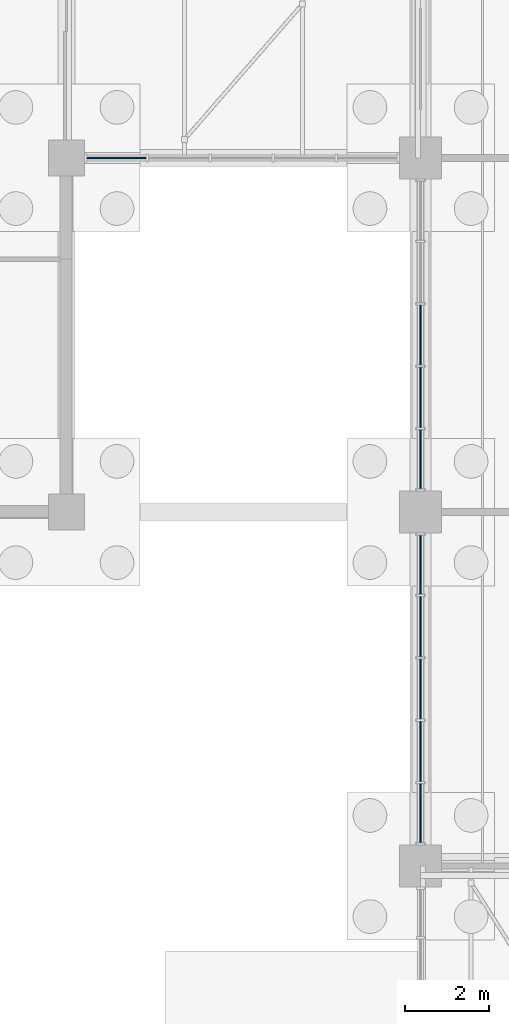
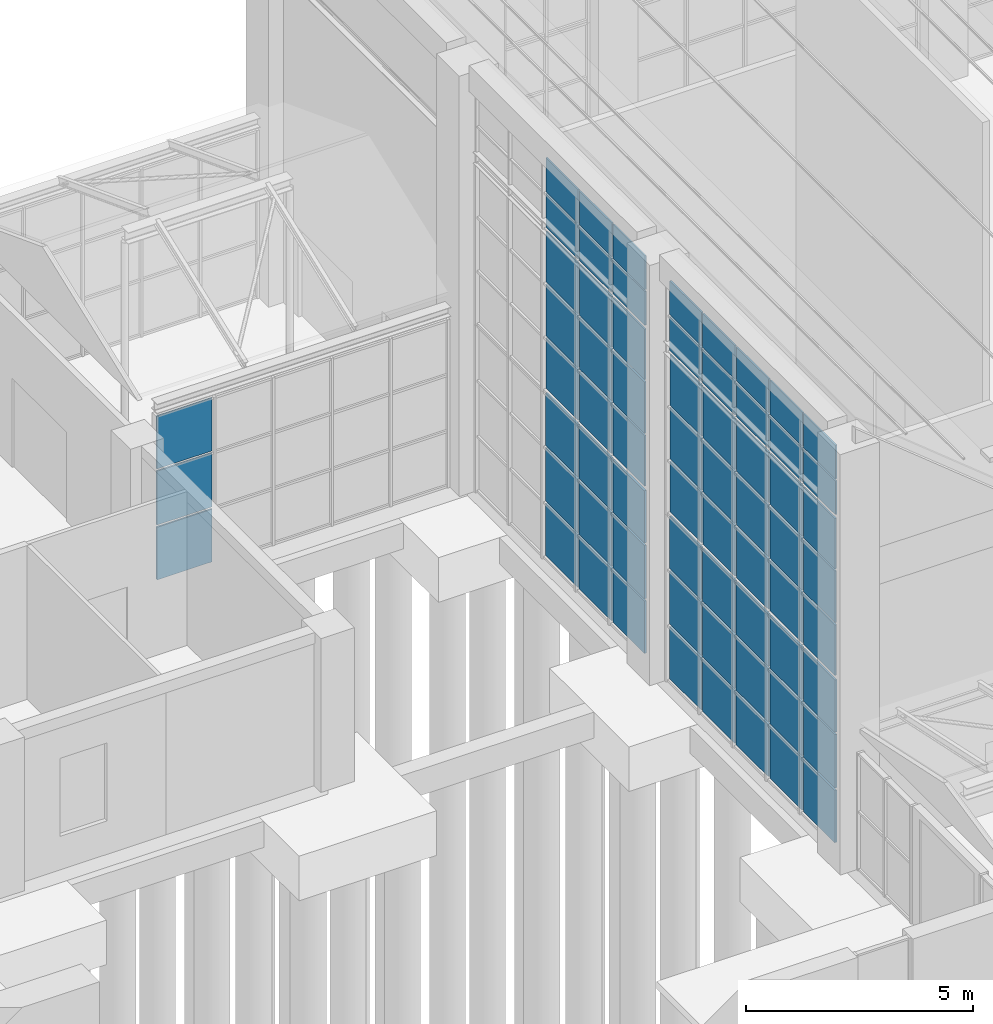
# One storey, part 82 of 138: 67 plates, 7 elements without a shape of their own.
"""IFC4 building model written with IfcOpenShell, lengths in metres."""

from ifc_helpers import new_model, si_unit, direction, frame, origin, origin_2d, place, context, subcontext, project, spatial, rectangle, extrude, material, layer, layer_set, type_object, element, aggregate, save


model = new_model("IFC4")

# Units and contexts
model_context = context("Model", 3, precision=1e-05, world=origin(), true_north=direction((0.0, 1.0)))
body_context = subcontext(model_context, "Body", "Model", "MODEL_VIEW")
ifc_project = project(units=[si_unit("LENGTHUNIT", "METRE"), si_unit("AREAUNIT", "SQUARE_METRE"), si_unit("VOLUMEUNIT", "CUBIC_METRE"), si_unit("PLANEANGLEUNIT", "RADIAN"), si_unit("MASSUNIT", "GRAM", prefix="KILO")], contexts=[model_context])

# Site, building, storey
site_placement = place(None, origin())
site = spatial("IfcSite", under=ifc_project, at=site_placement, CompositionType="ELEMENT")
building_placement = place(site_placement, origin())
building = spatial("IfcBuilding", under=site, at=building_placement, Name="Yavir Park General Hospital", CompositionType="ELEMENT")
storey_placement = place(building_placement, origin())
storey = spatial("IfcBuildingStorey", under=building, at=storey_placement, Name="L00", CompositionType="ELEMENT", Elevation=0.0)

# Curtain wall, plates
ifc_material_1 = material(Name="Aluminium curtain wall frame with insulated glazing", Category="aluminium")
curtain_wall_type_1 = type_object("IfcCurtainWallType", Name="Glazed link walls, 4525 high, 1400 module", PredefinedType="NOTDEFINED", material=ifc_material_1)
curtain_wall_1_placement = place(storey_placement, origin())
curtain_wall_1 = element("IfcCurtainWall", 1, at=curtain_wall_1_placement, inside=storey, type_object=curtain_wall_type_1, Name="CW38 L00-017", PredefinedType="NOTDEFINED")
ifc_material_2 = material(Name="Solar-control insulated glazed unit 40 mm")
ifc_layer_1 = layer(ifc_material_2, 0.0400390625)
ifc_layer_set_1 = layer_set([ifc_layer_1], Name="Solar-control insulated glazed unit 40 mm")
plate_type_1 = type_object("IfcPlateType", Name="Glazed link walls, 4525 high panel 40", PredefinedType="CURTAIN_PANEL", material=ifc_layer_set_1)
plate_1_placement = place(storey_placement, frame((68.387451171875, 58.800048828125, 0.06005859375), z_axis=(0.0, 0.0, 1.0), x_axis=(1.0, 0.0, 0.0)))
plate_1 = element("IfcPlate", 2, at=plate_1_placement, type_object=plate_type_1, Name="CW38 panel 1.1", PredefinedType="CURTAIN_PANEL", context=body_context, shape_type="SweptSolid", body=[
    extrude(rectangle(XDim=1.405029296875, YDim=0.0400390625, at=origin_2d()), origin(), (0.0, 0.0, 1.0), 1.418212890625),
])
plate_2_placement = place(storey_placement, frame((68.387451171875, 58.800048828125, 1.538330078125), z_axis=(0.0, 0.0, 1.0), x_axis=(1.0, 0.0, 0.0)))
plate_2 = element("IfcPlate", 3, at=plate_2_placement, type_object=plate_type_1, Name="CW38 panel 1.2", PredefinedType="CURTAIN_PANEL", context=body_context, shape_type="SweptSolid", body=[
    extrude(rectangle(XDim=1.405029296875, YDim=0.0400390625, at=origin_2d()), origin(), (0.0, 0.0, 1.0), 1.4482421875),
])
plate_3_placement = place(storey_placement, frame((68.387451171875, 58.800048828125, 3.046875), z_axis=(0.0, 0.0, 1.0), x_axis=(1.0, 0.0, 0.0)))
plate_3 = element("IfcPlate", 4, at=plate_3_placement, type_object=plate_type_1, Name="CW38 panel 1.3", PredefinedType="CURTAIN_PANEL", context=body_context, shape_type="SweptSolid", body=[
    extrude(rectangle(XDim=1.405029296875, YDim=0.0400390625, at=origin_2d()), origin(), (0.0, 0.0, 1.0), 1.418212890625),
])
aggregate(curtain_wall_1, [plate_1, plate_2, plate_3])

ifc_material_3 = material(Name="Aluminium curtain wall frame with insulated glazing", Category="aluminium")
curtain_wall_type_2 = type_object("IfcCurtainWallType", Name="Main hall glazing, clerestory band, 1970 high, 1400 module", PredefinedType="NOTDEFINED", material=ifc_material_3)
curtain_wall_2_placement = place(storey_placement, origin())
curtain_wall_2 = element("IfcCurtainWall", 5, at=curtain_wall_2_placement, inside=storey, type_object=curtain_wall_type_2, Name="CW35 L00-052", PredefinedType="NOTDEFINED")
ifc_material_4 = material(Name="Insulated glazed unit 30 mm, low-e coating")
ifc_layer_2 = layer(ifc_material_4, 0.0400390625)
ifc_layer_set_2 = layer_set([ifc_layer_2], Name="Insulated glazed unit 30 mm, low-e coating")
plate_type_2 = type_object("IfcPlateType", Name="Main hall glazing, clerestory band, 1970 high panel 40", PredefinedType="CURTAIN_PANEL", material=ifc_layer_set_2)
plate_4_placement = place(storey_placement, frame((75.60009765625, 43.25244140625, 8.89501953125), z_axis=(0.0, 0.0, 1.0), x_axis=(0.0, 1.0, 0.0)))
plate_4 = element("IfcPlate", 6, at=plate_4_placement, type_object=plate_type_2, Name="CW35 panel 1.1", PredefinedType="CURTAIN_PANEL", context=body_context, shape_type="SweptSolid", body=[
    extrude(rectangle(XDim=1.405029296875, YDim=0.0400390625, at=origin_2d()), origin(), (0.0, 0.0, 1.0), 0.909912109375),
])
plate_5_placement = place(storey_placement, frame((75.60009765625, 43.25244140625, 9.85498046875), z_axis=(0.0, 0.0, 1.0), x_axis=(0.0, 1.0, 0.0)))
plate_5 = element("IfcPlate", 7, at=plate_5_placement, type_object=plate_type_2, Name="CW35 panel 1.2", PredefinedType="CURTAIN_PANEL", context=body_context, shape_type="SweptSolid", body=[
    extrude(rectangle(XDim=1.405029296875, YDim=0.0400390625, at=origin_2d()), origin(), (0.0, 0.0, 1.0), 0.909912109375),
])
plate_6_placement = place(storey_placement, frame((75.60009765625, 44.719970703125, 8.89501953125), z_axis=(0.0, 0.0, 1.0), x_axis=(0.0, 1.0, 0.0)))
plate_6 = element("IfcPlate", 8, at=plate_6_placement, type_object=plate_type_2, Name="CW35 panel 2.1", PredefinedType="CURTAIN_PANEL", context=body_context, shape_type="SweptSolid", body=[
    extrude(rectangle(XDim=1.429931640625, YDim=0.0400390625, at=origin_2d()), origin(), (0.0, 0.0, 1.0), 0.909912109375),
])
plate_7_placement = place(storey_placement, frame((75.60009765625, 44.719970703125, 9.85498046875), z_axis=(0.0, 0.0, 1.0), x_axis=(0.0, 1.0, 0.0)))
plate_7 = element("IfcPlate", 9, at=plate_7_placement, type_object=plate_type_2, Name="CW35 panel 2.2", PredefinedType="CURTAIN_PANEL", context=body_context, shape_type="SweptSolid", body=[
    extrude(rectangle(XDim=1.429931640625, YDim=0.0400390625, at=origin_2d()), origin(), (0.0, 0.0, 1.0), 0.909912109375),
])
plate_8_placement = place(storey_placement, frame((75.60009765625, 46.199951171875, 8.89501953125), z_axis=(0.0, 0.0, 1.0), x_axis=(0.0, 1.0, 0.0)))
plate_8 = element("IfcPlate", 10, at=plate_8_placement, type_object=plate_type_2, Name="CW35 panel 3.1", PredefinedType="CURTAIN_PANEL", context=body_context, shape_type="SweptSolid", body=[
    extrude(rectangle(XDim=1.429931640625, YDim=0.0400390625, at=origin_2d()), origin(), (0.0, 0.0, 1.0), 0.909912109375),
])
plate_9_placement = place(storey_placement, frame((75.60009765625, 46.199951171875, 9.85498046875), z_axis=(0.0, 0.0, 1.0), x_axis=(0.0, 1.0, 0.0)))
plate_9 = element("IfcPlate", 11, at=plate_9_placement, type_object=plate_type_2, Name="CW35 panel 3.2", PredefinedType="CURTAIN_PANEL", context=body_context, shape_type="SweptSolid", body=[
    extrude(rectangle(XDim=1.429931640625, YDim=0.0400390625, at=origin_2d()), origin(), (0.0, 0.0, 1.0), 0.909912109375),
])
plate_10_placement = place(storey_placement, frame((75.60009765625, 47.679931640625, 8.89501953125), z_axis=(0.0, 0.0, 1.0), x_axis=(0.0, 1.0, 0.0)))
plate_10 = element("IfcPlate", 12, at=plate_10_placement, type_object=plate_type_2, Name="CW35 panel 4.1", PredefinedType="CURTAIN_PANEL", context=body_context, shape_type="SweptSolid", body=[
    extrude(rectangle(XDim=1.429931640625, YDim=0.0400390625, at=origin_2d()), origin(), (0.0, 0.0, 1.0), 0.909912109375),
])
plate_11_placement = place(storey_placement, frame((75.60009765625, 47.679931640625, 9.85498046875), z_axis=(0.0, 0.0, 1.0), x_axis=(0.0, 1.0, 0.0)))
plate_11 = element("IfcPlate", 13, at=plate_11_placement, type_object=plate_type_2, Name="CW35 panel 4.2", PredefinedType="CURTAIN_PANEL", context=body_context, shape_type="SweptSolid", body=[
    extrude(rectangle(XDim=1.429931640625, YDim=0.0400390625, at=origin_2d()), origin(), (0.0, 0.0, 1.0), 0.909912109375),
])
plate_12_placement = place(storey_placement, frame((75.60009765625, 49.1474609375, 8.89501953125), z_axis=(0.0, 0.0, 1.0), x_axis=(0.0, 1.0, 0.0)))
plate_12 = element("IfcPlate", 14, at=plate_12_placement, type_object=plate_type_2, Name="CW35 panel 5.1", PredefinedType="CURTAIN_PANEL", context=body_context, shape_type="SweptSolid", body=[
    extrude(rectangle(XDim=1.405029296875, YDim=0.0400390625, at=origin_2d()), origin(), (0.0, 0.0, 1.0), 0.909912109375),
])
plate_13_placement = place(storey_placement, frame((75.60009765625, 49.1474609375, 9.85498046875), z_axis=(0.0, 0.0, 1.0), x_axis=(0.0, 1.0, 0.0)))
plate_13 = element("IfcPlate", 15, at=plate_13_placement, type_object=plate_type_2, Name="CW35 panel 5.2", PredefinedType="CURTAIN_PANEL", context=body_context, shape_type="SweptSolid", body=[
    extrude(rectangle(XDim=1.405029296875, YDim=0.0400390625, at=origin_2d()), origin(), (0.0, 0.0, 1.0), 0.909912109375),
])
aggregate(curtain_wall_2, [plate_4, plate_5, plate_6, plate_7, plate_8, plate_9, plate_10, plate_11, plate_12, plate_13])

curtain_wall_3_placement = place(storey_placement, origin())
curtain_wall_3 = element("IfcCurtainWall", 16, at=curtain_wall_3_placement, inside=storey, type_object=curtain_wall_type_2, Name="CW35 L00-055", PredefinedType="NOTDEFINED")
plate_14_placement = place(storey_placement, frame((75.60009765625, 51.652587890625, 8.89501953125), z_axis=(0.0, 0.0, 1.0), x_axis=(0.0, 1.0, 0.0)))
plate_14 = element("IfcPlate", 17, at=plate_14_placement, type_object=plate_type_2, Name="CW35 panel 1.1", PredefinedType="CURTAIN_PANEL", context=body_context, shape_type="SweptSolid", body=[
    extrude(rectangle(XDim=1.405029296875, YDim=0.0400390625, at=origin_2d()), origin(), (0.0, 0.0, 1.0), 0.909912109375),
])
plate_15_placement = place(storey_placement, frame((75.60009765625, 51.652587890625, 9.85498046875), z_axis=(0.0, 0.0, 1.0), x_axis=(0.0, 1.0, 0.0)))
plate_15 = element("IfcPlate", 18, at=plate_15_placement, type_object=plate_type_2, Name="CW35 panel 1.2", PredefinedType="CURTAIN_PANEL", context=body_context, shape_type="SweptSolid", body=[
    extrude(rectangle(XDim=1.405029296875, YDim=0.0400390625, at=origin_2d()), origin(), (0.0, 0.0, 1.0), 0.909912109375),
])
plate_16_placement = place(storey_placement, frame((75.60009765625, 53.1201171875, 8.89501953125), z_axis=(0.0, 0.0, 1.0), x_axis=(0.0, 1.0, 0.0)))
plate_16 = element("IfcPlate", 19, at=plate_16_placement, type_object=plate_type_2, Name="CW35 panel 2.1", PredefinedType="CURTAIN_PANEL", context=body_context, shape_type="SweptSolid", body=[
    extrude(rectangle(XDim=1.429931640625, YDim=0.0400390625, at=origin_2d()), origin(), (0.0, 0.0, 1.0), 0.909912109375),
])
plate_17_placement = place(storey_placement, frame((75.60009765625, 53.1201171875, 9.85498046875), z_axis=(0.0, 0.0, 1.0), x_axis=(0.0, 1.0, 0.0)))
plate_17 = element("IfcPlate", 20, at=plate_17_placement, type_object=plate_type_2, Name="CW35 panel 2.2", PredefinedType="CURTAIN_PANEL", context=body_context, shape_type="SweptSolid", body=[
    extrude(rectangle(XDim=1.429931640625, YDim=0.0400390625, at=origin_2d()), origin(), (0.0, 0.0, 1.0), 0.909912109375),
])
plate_18_placement = place(storey_placement, frame((75.60009765625, 54.60009765625, 8.89501953125), z_axis=(0.0, 0.0, 1.0), x_axis=(0.0, 1.0, 0.0)))
plate_18 = element("IfcPlate", 21, at=plate_18_placement, type_object=plate_type_2, Name="CW35 panel 3.1", PredefinedType="CURTAIN_PANEL", context=body_context, shape_type="SweptSolid", body=[
    extrude(rectangle(XDim=1.429931640625, YDim=0.0400390625, at=origin_2d()), origin(), (0.0, 0.0, 1.0), 0.909912109375),
])
plate_19_placement = place(storey_placement, frame((75.60009765625, 54.60009765625, 9.85498046875), z_axis=(0.0, 0.0, 1.0), x_axis=(0.0, 1.0, 0.0)))
plate_19 = element("IfcPlate", 22, at=plate_19_placement, type_object=plate_type_2, Name="CW35 panel 3.2", PredefinedType="CURTAIN_PANEL", context=body_context, shape_type="SweptSolid", body=[
    extrude(rectangle(XDim=1.429931640625, YDim=0.0400390625, at=origin_2d()), origin(), (0.0, 0.0, 1.0), 0.909912109375),
])
aggregate(curtain_wall_3, [plate_14, plate_15, plate_16, plate_17, plate_18, plate_19])

ifc_material_5 = material(Name="Aluminium curtain wall frame with insulated glazing", Category="aluminium")
curtain_wall_type_3 = type_object("IfcCurtainWallType", Name="Main hall glazing, lower band, 4500 high, 1400 module", PredefinedType="NOTDEFINED", material=ifc_material_5)
curtain_wall_4_placement = place(storey_placement, origin())
curtain_wall_4 = element("IfcCurtainWall", 23, at=curtain_wall_4_placement, inside=storey, type_object=curtain_wall_type_3, Name="CW33 L00-050", PredefinedType="NOTDEFINED")
ifc_material_6 = material(Name="Solar-control insulated glazed unit 40 mm")
ifc_layer_3 = layer(ifc_material_6, 0.050048828125)
ifc_layer_set_3 = layer_set([ifc_layer_3], Name="Solar-control insulated glazed unit 40 mm")
plate_type_3 = type_object("IfcPlateType", Name="Main hall glazing, lower band, 4500 high panel 50", PredefinedType="CURTAIN_PANEL", material=ifc_layer_set_3)
plate_20_placement = place(storey_placement, frame((75.60009765625, 43.2548828125, 0.06005859375), z_axis=(0.0, 0.0, 1.0), x_axis=(0.0, 1.0, 0.0)))
plate_20 = element("IfcPlate", 24, at=plate_20_placement, type_object=plate_type_3, Name="CW33 panel 1.1", PredefinedType="CURTAIN_PANEL", context=body_context, shape_type="SweptSolid", body=[
    extrude(rectangle(XDim=1.389892578125, YDim=0.050048828125, at=origin_2d()), origin(), (0.0, 0.0, 1.0), 1.409912109375),
])
plate_21_placement = place(storey_placement, frame((75.60009765625, 43.2548828125, 1.530029296875), z_axis=(0.0, 0.0, 1.0), x_axis=(0.0, 1.0, 0.0)))
plate_21 = element("IfcPlate", 25, at=plate_21_placement, type_object=plate_type_3, Name="CW33 panel 1.2", PredefinedType="CURTAIN_PANEL", context=body_context, shape_type="SweptSolid", body=[
    extrude(rectangle(XDim=1.389892578125, YDim=0.050048828125, at=origin_2d()), origin(), (0.0, 0.0, 1.0), 1.43994140625),
])
plate_22_placement = place(storey_placement, frame((75.60009765625, 43.2548828125, 3.0302734375), z_axis=(0.0, 0.0, 1.0), x_axis=(0.0, 1.0, 0.0)))
plate_22 = element("IfcPlate", 26, at=plate_22_placement, type_object=plate_type_3, Name="CW33 panel 1.3", PredefinedType="CURTAIN_PANEL", context=body_context, shape_type="SweptSolid", body=[
    extrude(rectangle(XDim=1.389892578125, YDim=0.050048828125, at=origin_2d()), origin(), (0.0, 0.0, 1.0), 1.409912109375),
])
plate_23_placement = place(storey_placement, frame((75.60009765625, 44.719970703125, 0.06005859375), z_axis=(0.0, 0.0, 1.0), x_axis=(0.0, 1.0, 0.0)))
plate_23 = element("IfcPlate", 27, at=plate_23_placement, type_object=plate_type_3, Name="CW33 panel 2.1", PredefinedType="CURTAIN_PANEL", context=body_context, shape_type="SweptSolid", body=[
    extrude(rectangle(XDim=1.419921875, YDim=0.050048828125, at=origin_2d()), origin(), (0.0, 0.0, 1.0), 1.409912109375),
])
plate_24_placement = place(storey_placement, frame((75.60009765625, 44.719970703125, 1.530029296875), z_axis=(0.0, 0.0, 1.0), x_axis=(0.0, 1.0, 0.0)))
plate_24 = element("IfcPlate", 28, at=plate_24_placement, type_object=plate_type_3, Name="CW33 panel 2.2", PredefinedType="CURTAIN_PANEL", context=body_context, shape_type="SweptSolid", body=[
    extrude(rectangle(XDim=1.419921875, YDim=0.050048828125, at=origin_2d()), origin(), (0.0, 0.0, 1.0), 1.43994140625),
])
plate_25_placement = place(storey_placement, frame((75.60009765625, 44.719970703125, 3.0302734375), z_axis=(0.0, 0.0, 1.0), x_axis=(0.0, 1.0, 0.0)))
plate_25 = element("IfcPlate", 29, at=plate_25_placement, type_object=plate_type_3, Name="CW33 panel 2.3", PredefinedType="CURTAIN_PANEL", context=body_context, shape_type="SweptSolid", body=[
    extrude(rectangle(XDim=1.419921875, YDim=0.050048828125, at=origin_2d()), origin(), (0.0, 0.0, 1.0), 1.409912109375),
])
plate_26_placement = place(storey_placement, frame((75.60009765625, 46.199951171875, 0.06005859375), z_axis=(0.0, 0.0, 1.0), x_axis=(0.0, 1.0, 0.0)))
plate_26 = element("IfcPlate", 30, at=plate_26_placement, type_object=plate_type_3, Name="CW33 panel 3.1", PredefinedType="CURTAIN_PANEL", context=body_context, shape_type="SweptSolid", body=[
    extrude(rectangle(XDim=1.419921875, YDim=0.050048828125, at=origin_2d()), origin(), (0.0, 0.0, 1.0), 1.409912109375),
])
plate_27_placement = place(storey_placement, frame((75.60009765625, 46.199951171875, 1.530029296875), z_axis=(0.0, 0.0, 1.0), x_axis=(0.0, 1.0, 0.0)))
plate_27 = element("IfcPlate", 31, at=plate_27_placement, type_object=plate_type_3, Name="CW33 panel 3.2", PredefinedType="CURTAIN_PANEL", context=body_context, shape_type="SweptSolid", body=[
    extrude(rectangle(XDim=1.419921875, YDim=0.050048828125, at=origin_2d()), origin(), (0.0, 0.0, 1.0), 1.43994140625),
])
plate_28_placement = place(storey_placement, frame((75.60009765625, 46.199951171875, 3.0302734375), z_axis=(0.0, 0.0, 1.0), x_axis=(0.0, 1.0, 0.0)))
plate_28 = element("IfcPlate", 32, at=plate_28_placement, type_object=plate_type_3, Name="CW33 panel 3.3", PredefinedType="CURTAIN_PANEL", context=body_context, shape_type="SweptSolid", body=[
    extrude(rectangle(XDim=1.419921875, YDim=0.050048828125, at=origin_2d()), origin(), (0.0, 0.0, 1.0), 1.409912109375),
])
plate_29_placement = place(storey_placement, frame((75.60009765625, 47.679931640625, 0.06005859375), z_axis=(0.0, 0.0, 1.0), x_axis=(0.0, 1.0, 0.0)))
plate_29 = element("IfcPlate", 33, at=plate_29_placement, type_object=plate_type_3, Name="CW33 panel 4.1", PredefinedType="CURTAIN_PANEL", context=body_context, shape_type="SweptSolid", body=[
    extrude(rectangle(XDim=1.419921875, YDim=0.050048828125, at=origin_2d()), origin(), (0.0, 0.0, 1.0), 1.409912109375),
])
plate_30_placement = place(storey_placement, frame((75.60009765625, 47.679931640625, 1.530029296875), z_axis=(0.0, 0.0, 1.0), x_axis=(0.0, 1.0, 0.0)))
plate_30 = element("IfcPlate", 34, at=plate_30_placement, type_object=plate_type_3, Name="CW33 panel 4.2", PredefinedType="CURTAIN_PANEL", context=body_context, shape_type="SweptSolid", body=[
    extrude(rectangle(XDim=1.419921875, YDim=0.050048828125, at=origin_2d()), origin(), (0.0, 0.0, 1.0), 1.43994140625),
])
plate_31_placement = place(storey_placement, frame((75.60009765625, 47.679931640625, 3.0302734375), z_axis=(0.0, 0.0, 1.0), x_axis=(0.0, 1.0, 0.0)))
plate_31 = element("IfcPlate", 35, at=plate_31_placement, type_object=plate_type_3, Name="CW33 panel 4.3", PredefinedType="CURTAIN_PANEL", context=body_context, shape_type="SweptSolid", body=[
    extrude(rectangle(XDim=1.419921875, YDim=0.050048828125, at=origin_2d()), origin(), (0.0, 0.0, 1.0), 1.409912109375),
])
plate_32_placement = place(storey_placement, frame((75.60009765625, 49.14501953125, 0.06005859375), z_axis=(0.0, 0.0, 1.0), x_axis=(0.0, 1.0, 0.0)))
plate_32 = element("IfcPlate", 36, at=plate_32_placement, type_object=plate_type_3, Name="CW33 panel 5.1", PredefinedType="CURTAIN_PANEL", context=body_context, shape_type="SweptSolid", body=[
    extrude(rectangle(XDim=1.389892578125, YDim=0.050048828125, at=origin_2d()), origin(), (0.0, 0.0, 1.0), 1.409912109375),
])
plate_33_placement = place(storey_placement, frame((75.60009765625, 49.14501953125, 1.530029296875), z_axis=(0.0, 0.0, 1.0), x_axis=(0.0, 1.0, 0.0)))
plate_33 = element("IfcPlate", 37, at=plate_33_placement, type_object=plate_type_3, Name="CW33 panel 5.2", PredefinedType="CURTAIN_PANEL", context=body_context, shape_type="SweptSolid", body=[
    extrude(rectangle(XDim=1.389892578125, YDim=0.050048828125, at=origin_2d()), origin(), (0.0, 0.0, 1.0), 1.43994140625),
])
plate_34_placement = place(storey_placement, frame((75.60009765625, 49.14501953125, 3.0302734375), z_axis=(0.0, 0.0, 1.0), x_axis=(0.0, 1.0, 0.0)))
plate_34 = element("IfcPlate", 38, at=plate_34_placement, type_object=plate_type_3, Name="CW33 panel 5.3", PredefinedType="CURTAIN_PANEL", context=body_context, shape_type="SweptSolid", body=[
    extrude(rectangle(XDim=1.389892578125, YDim=0.050048828125, at=origin_2d()), origin(), (0.0, 0.0, 1.0), 1.409912109375),
])
aggregate(curtain_wall_4, [plate_20, plate_21, plate_22, plate_23, plate_24, plate_25, plate_26, plate_27, plate_28, plate_29, plate_30, plate_31, plate_32, plate_33, plate_34])

curtain_wall_5_placement = place(storey_placement, origin())
curtain_wall_5 = element("IfcCurtainWall", 39, at=curtain_wall_5_placement, inside=storey, type_object=curtain_wall_type_3, Name="CW33 L00-053", PredefinedType="NOTDEFINED")
plate_35_placement = place(storey_placement, frame((75.60009765625, 51.655029296875, 0.06005859375), z_axis=(0.0, 0.0, 1.0), x_axis=(0.0, 1.0, 0.0)))
plate_35 = element("IfcPlate", 40, at=plate_35_placement, type_object=plate_type_3, Name="CW33 panel 1.1", PredefinedType="CURTAIN_PANEL", context=body_context, shape_type="SweptSolid", body=[
    extrude(rectangle(XDim=1.389892578125, YDim=0.050048828125, at=origin_2d()), origin(), (0.0, 0.0, 1.0), 1.409912109375),
])
plate_36_placement = place(storey_placement, frame((75.60009765625, 51.655029296875, 1.530029296875), z_axis=(0.0, 0.0, 1.0), x_axis=(0.0, 1.0, 0.0)))
plate_36 = element("IfcPlate", 41, at=plate_36_placement, type_object=plate_type_3, Name="CW33 panel 1.2", PredefinedType="CURTAIN_PANEL", context=body_context, shape_type="SweptSolid", body=[
    extrude(rectangle(XDim=1.389892578125, YDim=0.050048828125, at=origin_2d()), origin(), (0.0, 0.0, 1.0), 1.43994140625),
])
plate_37_placement = place(storey_placement, frame((75.60009765625, 51.655029296875, 3.0302734375), z_axis=(0.0, 0.0, 1.0), x_axis=(0.0, 1.0, 0.0)))
plate_37 = element("IfcPlate", 42, at=plate_37_placement, type_object=plate_type_3, Name="CW33 panel 1.3", PredefinedType="CURTAIN_PANEL", context=body_context, shape_type="SweptSolid", body=[
    extrude(rectangle(XDim=1.389892578125, YDim=0.050048828125, at=origin_2d()), origin(), (0.0, 0.0, 1.0), 1.409912109375),
])
plate_38_placement = place(storey_placement, frame((75.60009765625, 53.1201171875, 0.06005859375), z_axis=(0.0, 0.0, 1.0), x_axis=(0.0, 1.0, 0.0)))
plate_38 = element("IfcPlate", 43, at=plate_38_placement, type_object=plate_type_3, Name="CW33 panel 2.1", PredefinedType="CURTAIN_PANEL", context=body_context, shape_type="SweptSolid", body=[
    extrude(rectangle(XDim=1.419921875, YDim=0.050048828125, at=origin_2d()), origin(), (0.0, 0.0, 1.0), 1.409912109375),
])
plate_39_placement = place(storey_placement, frame((75.60009765625, 53.1201171875, 1.530029296875), z_axis=(0.0, 0.0, 1.0), x_axis=(0.0, 1.0, 0.0)))
plate_39 = element("IfcPlate", 44, at=plate_39_placement, type_object=plate_type_3, Name="CW33 panel 2.2", PredefinedType="CURTAIN_PANEL", context=body_context, shape_type="SweptSolid", body=[
    extrude(rectangle(XDim=1.419921875, YDim=0.050048828125, at=origin_2d()), origin(), (0.0, 0.0, 1.0), 1.43994140625),
])
plate_40_placement = place(storey_placement, frame((75.60009765625, 53.1201171875, 3.0302734375), z_axis=(0.0, 0.0, 1.0), x_axis=(0.0, 1.0, 0.0)))
plate_40 = element("IfcPlate", 45, at=plate_40_placement, type_object=plate_type_3, Name="CW33 panel 2.3", PredefinedType="CURTAIN_PANEL", context=body_context, shape_type="SweptSolid", body=[
    extrude(rectangle(XDim=1.419921875, YDim=0.050048828125, at=origin_2d()), origin(), (0.0, 0.0, 1.0), 1.409912109375),
])
plate_41_placement = place(storey_placement, frame((75.60009765625, 54.60009765625, 0.06005859375), z_axis=(0.0, 0.0, 1.0), x_axis=(0.0, 1.0, 0.0)))
plate_41 = element("IfcPlate", 46, at=plate_41_placement, type_object=plate_type_3, Name="CW33 panel 3.1", PredefinedType="CURTAIN_PANEL", context=body_context, shape_type="SweptSolid", body=[
    extrude(rectangle(XDim=1.419921875, YDim=0.050048828125, at=origin_2d()), origin(), (0.0, 0.0, 1.0), 1.409912109375),
])
plate_42_placement = place(storey_placement, frame((75.60009765625, 54.60009765625, 1.530029296875), z_axis=(0.0, 0.0, 1.0), x_axis=(0.0, 1.0, 0.0)))
plate_42 = element("IfcPlate", 47, at=plate_42_placement, type_object=plate_type_3, Name="CW33 panel 3.2", PredefinedType="CURTAIN_PANEL", context=body_context, shape_type="SweptSolid", body=[
    extrude(rectangle(XDim=1.419921875, YDim=0.050048828125, at=origin_2d()), origin(), (0.0, 0.0, 1.0), 1.43994140625),
])
plate_43_placement = place(storey_placement, frame((75.60009765625, 54.60009765625, 3.0302734375), z_axis=(0.0, 0.0, 1.0), x_axis=(0.0, 1.0, 0.0)))
plate_43 = element("IfcPlate", 48, at=plate_43_placement, type_object=plate_type_3, Name="CW33 panel 3.3", PredefinedType="CURTAIN_PANEL", context=body_context, shape_type="SweptSolid", body=[
    extrude(rectangle(XDim=1.419921875, YDim=0.050048828125, at=origin_2d()), origin(), (0.0, 0.0, 1.0), 1.409912109375),
])
aggregate(curtain_wall_5, [plate_35, plate_36, plate_37, plate_38, plate_39, plate_40, plate_41, plate_42, plate_43])

ifc_material_7 = material(Name="Aluminium curtain wall frame with insulated glazing", Category="aluminium")
curtain_wall_type_4 = type_object("IfcCurtainWallType", Name="Main hall glazing, upper band, 4345 high, 1400 module", PredefinedType="NOTDEFINED", material=ifc_material_7)
curtain_wall_6_placement = place(storey_placement, origin())
curtain_wall_6 = element("IfcCurtainWall", 49, at=curtain_wall_6_placement, inside=storey, type_object=curtain_wall_type_4, Name="CW52 L00-051", PredefinedType="NOTDEFINED")
ifc_material_8 = material(Name="Solar-control insulated glazed unit 40 mm")
ifc_layer_4 = layer(ifc_material_8, 0.0400390625)
ifc_layer_set_4 = layer_set([ifc_layer_4], Name="Solar-control insulated glazed unit 40 mm")
plate_type_4 = type_object("IfcPlateType", Name="Main hall glazing, upper band, 4345 high panel 40", PredefinedType="CURTAIN_PANEL", material=ifc_layer_set_4)
plate_44_placement = place(storey_placement, frame((75.60009765625, 43.2548828125, 4.56005859375), z_axis=(0.0, 0.0, 1.0), x_axis=(0.0, 1.0, 0.0)))
plate_44 = element("IfcPlate", 50, at=plate_44_placement, type_object=plate_type_4, Name="CW52 panel 1.1", PredefinedType="CURTAIN_PANEL", context=body_context, shape_type="SweptSolid", body=[
    extrude(rectangle(XDim=1.389892578125, YDim=0.0400390625, at=origin_2d()), origin(), (0.0, 0.0, 1.0), 1.3583984375),
])
plate_45_placement = place(storey_placement, frame((75.60009765625, 43.2548828125, 5.978515625), z_axis=(0.0, 0.0, 1.0), x_axis=(0.0, 1.0, 0.0)))
plate_45 = element("IfcPlate", 51, at=plate_45_placement, type_object=plate_type_4, Name="CW52 panel 1.2", PredefinedType="CURTAIN_PANEL", context=body_context, shape_type="SweptSolid", body=[
    extrude(rectangle(XDim=1.389892578125, YDim=0.0400390625, at=origin_2d()), origin(), (0.0, 0.0, 1.0), 1.388427734375),
])
plate_46_placement = place(storey_placement, frame((75.60009765625, 43.2548828125, 7.426513671875), z_axis=(0.0, 0.0, 1.0), x_axis=(0.0, 1.0, 0.0)))
plate_46 = element("IfcPlate", 52, at=plate_46_placement, type_object=plate_type_4, Name="CW52 panel 1.3", PredefinedType="CURTAIN_PANEL", context=body_context, shape_type="SweptSolid", body=[
    extrude(rectangle(XDim=1.389892578125, YDim=0.0400390625, at=origin_2d()), origin(), (0.0, 0.0, 1.0), 1.3583984375),
])
plate_47_placement = place(storey_placement, frame((75.60009765625, 44.719970703125, 4.56005859375), z_axis=(0.0, 0.0, 1.0), x_axis=(0.0, 1.0, 0.0)))
plate_47 = element("IfcPlate", 53, at=plate_47_placement, type_object=plate_type_4, Name="CW52 panel 2.1", PredefinedType="CURTAIN_PANEL", context=body_context, shape_type="SweptSolid", body=[
    extrude(rectangle(XDim=1.419921875, YDim=0.0400390625, at=origin_2d()), origin(), (0.0, 0.0, 1.0), 1.3583984375),
])
plate_48_placement = place(storey_placement, frame((75.60009765625, 44.719970703125, 5.978515625), z_axis=(0.0, 0.0, 1.0), x_axis=(0.0, 1.0, 0.0)))
plate_48 = element("IfcPlate", 54, at=plate_48_placement, type_object=plate_type_4, Name="CW52 panel 2.2", PredefinedType="CURTAIN_PANEL", context=body_context, shape_type="SweptSolid", body=[
    extrude(rectangle(XDim=1.419921875, YDim=0.0400390625, at=origin_2d()), origin(), (0.0, 0.0, 1.0), 1.388427734375),
])
plate_49_placement = place(storey_placement, frame((75.60009765625, 44.719970703125, 7.426513671875), z_axis=(0.0, 0.0, 1.0), x_axis=(0.0, 1.0, 0.0)))
plate_49 = element("IfcPlate", 55, at=plate_49_placement, type_object=plate_type_4, Name="CW52 panel 2.3", PredefinedType="CURTAIN_PANEL", context=body_context, shape_type="SweptSolid", body=[
    extrude(rectangle(XDim=1.419921875, YDim=0.0400390625, at=origin_2d()), origin(), (0.0, 0.0, 1.0), 1.3583984375),
])
plate_50_placement = place(storey_placement, frame((75.60009765625, 46.199951171875, 4.56005859375), z_axis=(0.0, 0.0, 1.0), x_axis=(0.0, 1.0, 0.0)))
plate_50 = element("IfcPlate", 56, at=plate_50_placement, type_object=plate_type_4, Name="CW52 panel 3.1", PredefinedType="CURTAIN_PANEL", context=body_context, shape_type="SweptSolid", body=[
    extrude(rectangle(XDim=1.419921875, YDim=0.0400390625, at=origin_2d()), origin(), (0.0, 0.0, 1.0), 1.3583984375),
])
plate_51_placement = place(storey_placement, frame((75.60009765625, 46.199951171875, 5.978515625), z_axis=(0.0, 0.0, 1.0), x_axis=(0.0, 1.0, 0.0)))
plate_51 = element("IfcPlate", 57, at=plate_51_placement, type_object=plate_type_4, Name="CW52 panel 3.2", PredefinedType="CURTAIN_PANEL", context=body_context, shape_type="SweptSolid", body=[
    extrude(rectangle(XDim=1.419921875, YDim=0.0400390625, at=origin_2d()), origin(), (0.0, 0.0, 1.0), 1.388427734375),
])
plate_52_placement = place(storey_placement, frame((75.60009765625, 46.199951171875, 7.426513671875), z_axis=(0.0, 0.0, 1.0), x_axis=(0.0, 1.0, 0.0)))
plate_52 = element("IfcPlate", 58, at=plate_52_placement, type_object=plate_type_4, Name="CW52 panel 3.3", PredefinedType="CURTAIN_PANEL", context=body_context, shape_type="SweptSolid", body=[
    extrude(rectangle(XDim=1.419921875, YDim=0.0400390625, at=origin_2d()), origin(), (0.0, 0.0, 1.0), 1.3583984375),
])
plate_53_placement = place(storey_placement, frame((75.60009765625, 47.679931640625, 4.56005859375), z_axis=(0.0, 0.0, 1.0), x_axis=(0.0, 1.0, 0.0)))
plate_53 = element("IfcPlate", 59, at=plate_53_placement, type_object=plate_type_4, Name="CW52 panel 4.1", PredefinedType="CURTAIN_PANEL", context=body_context, shape_type="SweptSolid", body=[
    extrude(rectangle(XDim=1.419921875, YDim=0.0400390625, at=origin_2d()), origin(), (0.0, 0.0, 1.0), 1.3583984375),
])
plate_54_placement = place(storey_placement, frame((75.60009765625, 47.679931640625, 5.978515625), z_axis=(0.0, 0.0, 1.0), x_axis=(0.0, 1.0, 0.0)))
plate_54 = element("IfcPlate", 60, at=plate_54_placement, type_object=plate_type_4, Name="CW52 panel 4.2", PredefinedType="CURTAIN_PANEL", context=body_context, shape_type="SweptSolid", body=[
    extrude(rectangle(XDim=1.419921875, YDim=0.0400390625, at=origin_2d()), origin(), (0.0, 0.0, 1.0), 1.388427734375),
])
plate_55_placement = place(storey_placement, frame((75.60009765625, 47.679931640625, 7.426513671875), z_axis=(0.0, 0.0, 1.0), x_axis=(0.0, 1.0, 0.0)))
plate_55 = element("IfcPlate", 61, at=plate_55_placement, type_object=plate_type_4, Name="CW52 panel 4.3", PredefinedType="CURTAIN_PANEL", context=body_context, shape_type="SweptSolid", body=[
    extrude(rectangle(XDim=1.419921875, YDim=0.0400390625, at=origin_2d()), origin(), (0.0, 0.0, 1.0), 1.3583984375),
])
plate_56_placement = place(storey_placement, frame((75.60009765625, 49.14501953125, 4.56005859375), z_axis=(0.0, 0.0, 1.0), x_axis=(0.0, 1.0, 0.0)))
plate_56 = element("IfcPlate", 62, at=plate_56_placement, type_object=plate_type_4, Name="CW52 panel 5.1", PredefinedType="CURTAIN_PANEL", context=body_context, shape_type="SweptSolid", body=[
    extrude(rectangle(XDim=1.389892578125, YDim=0.0400390625, at=origin_2d()), origin(), (0.0, 0.0, 1.0), 1.3583984375),
])
plate_57_placement = place(storey_placement, frame((75.60009765625, 49.14501953125, 5.978515625), z_axis=(0.0, 0.0, 1.0), x_axis=(0.0, 1.0, 0.0)))
plate_57 = element("IfcPlate", 63, at=plate_57_placement, type_object=plate_type_4, Name="CW52 panel 5.2", PredefinedType="CURTAIN_PANEL", context=body_context, shape_type="SweptSolid", body=[
    extrude(rectangle(XDim=1.389892578125, YDim=0.0400390625, at=origin_2d()), origin(), (0.0, 0.0, 1.0), 1.388427734375),
])
plate_58_placement = place(storey_placement, frame((75.60009765625, 49.14501953125, 7.426513671875), z_axis=(0.0, 0.0, 1.0), x_axis=(0.0, 1.0, 0.0)))
plate_58 = element("IfcPlate", 64, at=plate_58_placement, type_object=plate_type_4, Name="CW52 panel 5.3", PredefinedType="CURTAIN_PANEL", context=body_context, shape_type="SweptSolid", body=[
    extrude(rectangle(XDim=1.389892578125, YDim=0.0400390625, at=origin_2d()), origin(), (0.0, 0.0, 1.0), 1.3583984375),
])
aggregate(curtain_wall_6, [plate_44, plate_45, plate_46, plate_47, plate_48, plate_49, plate_50, plate_51, plate_52, plate_53, plate_54, plate_55, plate_56, plate_57, plate_58])

curtain_wall_7_placement = place(storey_placement, origin())
curtain_wall_7 = element("IfcCurtainWall", 65, at=curtain_wall_7_placement, inside=storey, type_object=curtain_wall_type_4, Name="CW52 L00-054", PredefinedType="NOTDEFINED")
plate_59_placement = place(storey_placement, frame((75.60009765625, 51.655029296875, 4.56005859375), z_axis=(0.0, 0.0, 1.0), x_axis=(0.0, 1.0, 0.0)))
plate_59 = element("IfcPlate", 66, at=plate_59_placement, type_object=plate_type_4, Name="CW52 panel 1.1", PredefinedType="CURTAIN_PANEL", context=body_context, shape_type="SweptSolid", body=[
    extrude(rectangle(XDim=1.389892578125, YDim=0.0400390625, at=origin_2d()), origin(), (0.0, 0.0, 1.0), 1.3583984375),
])
plate_60_placement = place(storey_placement, frame((75.60009765625, 51.655029296875, 5.978515625), z_axis=(0.0, 0.0, 1.0), x_axis=(0.0, 1.0, 0.0)))
plate_60 = element("IfcPlate", 67, at=plate_60_placement, type_object=plate_type_4, Name="CW52 panel 1.2", PredefinedType="CURTAIN_PANEL", context=body_context, shape_type="SweptSolid", body=[
    extrude(rectangle(XDim=1.389892578125, YDim=0.0400390625, at=origin_2d()), origin(), (0.0, 0.0, 1.0), 1.388427734375),
])
plate_61_placement = place(storey_placement, frame((75.60009765625, 51.655029296875, 7.426513671875), z_axis=(0.0, 0.0, 1.0), x_axis=(0.0, 1.0, 0.0)))
plate_61 = element("IfcPlate", 68, at=plate_61_placement, type_object=plate_type_4, Name="CW52 panel 1.3", PredefinedType="CURTAIN_PANEL", context=body_context, shape_type="SweptSolid", body=[
    extrude(rectangle(XDim=1.389892578125, YDim=0.0400390625, at=origin_2d()), origin(), (0.0, 0.0, 1.0), 1.3583984375),
])
plate_62_placement = place(storey_placement, frame((75.60009765625, 53.1201171875, 4.56005859375), z_axis=(0.0, 0.0, 1.0), x_axis=(0.0, 1.0, 0.0)))
plate_62 = element("IfcPlate", 69, at=plate_62_placement, type_object=plate_type_4, Name="CW52 panel 2.1", PredefinedType="CURTAIN_PANEL", context=body_context, shape_type="SweptSolid", body=[
    extrude(rectangle(XDim=1.419921875, YDim=0.0400390625, at=origin_2d()), origin(), (0.0, 0.0, 1.0), 1.3583984375),
])
plate_63_placement = place(storey_placement, frame((75.60009765625, 53.1201171875, 5.978515625), z_axis=(0.0, 0.0, 1.0), x_axis=(0.0, 1.0, 0.0)))
plate_63 = element("IfcPlate", 70, at=plate_63_placement, type_object=plate_type_4, Name="CW52 panel 2.2", PredefinedType="CURTAIN_PANEL", context=body_context, shape_type="SweptSolid", body=[
    extrude(rectangle(XDim=1.419921875, YDim=0.0400390625, at=origin_2d()), origin(), (0.0, 0.0, 1.0), 1.388427734375),
])
plate_64_placement = place(storey_placement, frame((75.60009765625, 53.1201171875, 7.426513671875), z_axis=(0.0, 0.0, 1.0), x_axis=(0.0, 1.0, 0.0)))
plate_64 = element("IfcPlate", 71, at=plate_64_placement, type_object=plate_type_4, Name="CW52 panel 2.3", PredefinedType="CURTAIN_PANEL", context=body_context, shape_type="SweptSolid", body=[
    extrude(rectangle(XDim=1.419921875, YDim=0.0400390625, at=origin_2d()), origin(), (0.0, 0.0, 1.0), 1.3583984375),
])
plate_65_placement = place(storey_placement, frame((75.60009765625, 54.60009765625, 4.56005859375), z_axis=(0.0, 0.0, 1.0), x_axis=(0.0, 1.0, 0.0)))
plate_65 = element("IfcPlate", 72, at=plate_65_placement, type_object=plate_type_4, Name="CW52 panel 3.1", PredefinedType="CURTAIN_PANEL", context=body_context, shape_type="SweptSolid", body=[
    extrude(rectangle(XDim=1.419921875, YDim=0.0400390625, at=origin_2d()), origin(), (0.0, 0.0, 1.0), 1.3583984375),
])
plate_66_placement = place(storey_placement, frame((75.60009765625, 54.60009765625, 5.978515625), z_axis=(0.0, 0.0, 1.0), x_axis=(0.0, 1.0, 0.0)))
plate_66 = element("IfcPlate", 73, at=plate_66_placement, type_object=plate_type_4, Name="CW52 panel 3.2", PredefinedType="CURTAIN_PANEL", context=body_context, shape_type="SweptSolid", body=[
    extrude(rectangle(XDim=1.419921875, YDim=0.0400390625, at=origin_2d()), origin(), (0.0, 0.0, 1.0), 1.388427734375),
])
plate_67_placement = place(storey_placement, frame((75.60009765625, 54.60009765625, 7.426513671875), z_axis=(0.0, 0.0, 1.0), x_axis=(0.0, 1.0, 0.0)))
plate_67 = element("IfcPlate", 74, at=plate_67_placement, type_object=plate_type_4, Name="CW52 panel 3.3", PredefinedType="CURTAIN_PANEL", context=body_context, shape_type="SweptSolid", body=[
    extrude(rectangle(XDim=1.419921875, YDim=0.0400390625, at=origin_2d()), origin(), (0.0, 0.0, 1.0), 1.3583984375),
])
aggregate(curtain_wall_7, [plate_59, plate_60, plate_61, plate_62, plate_63, plate_64, plate_65, plate_66, plate_67])

save(model, "model.ifc")
